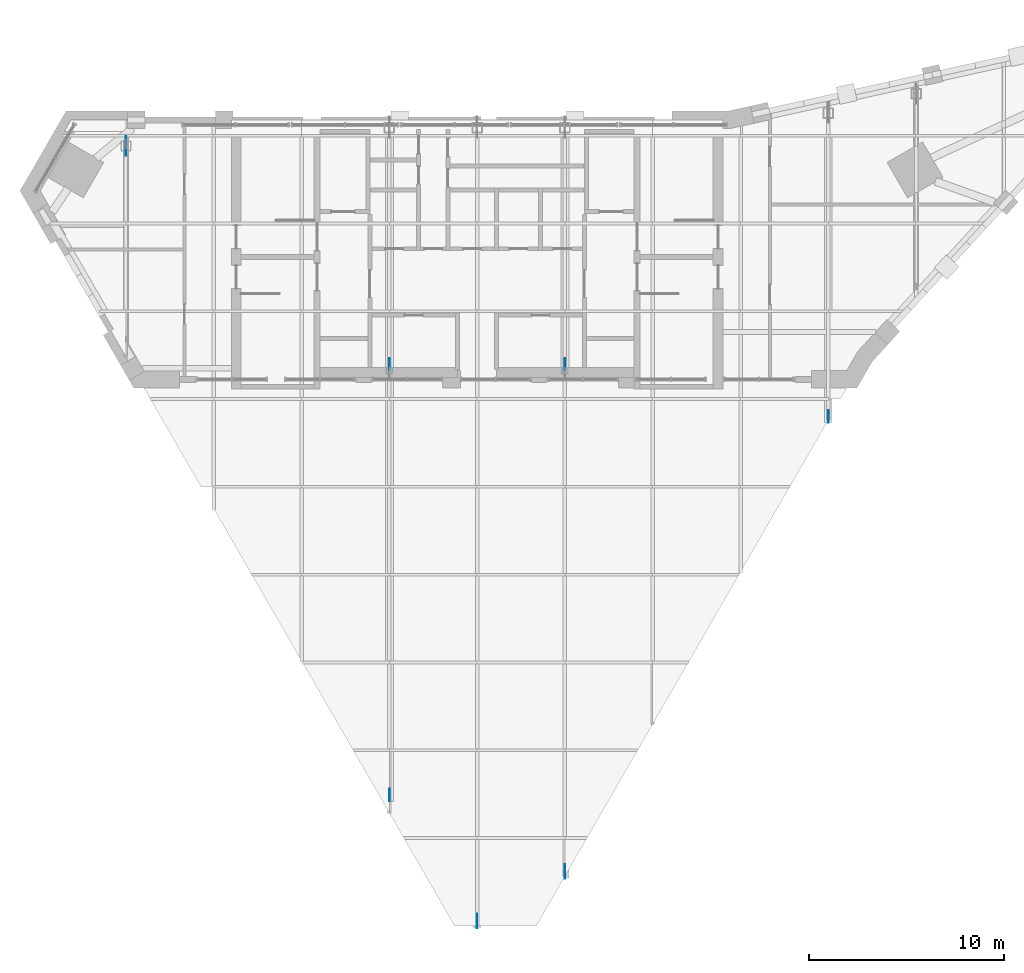
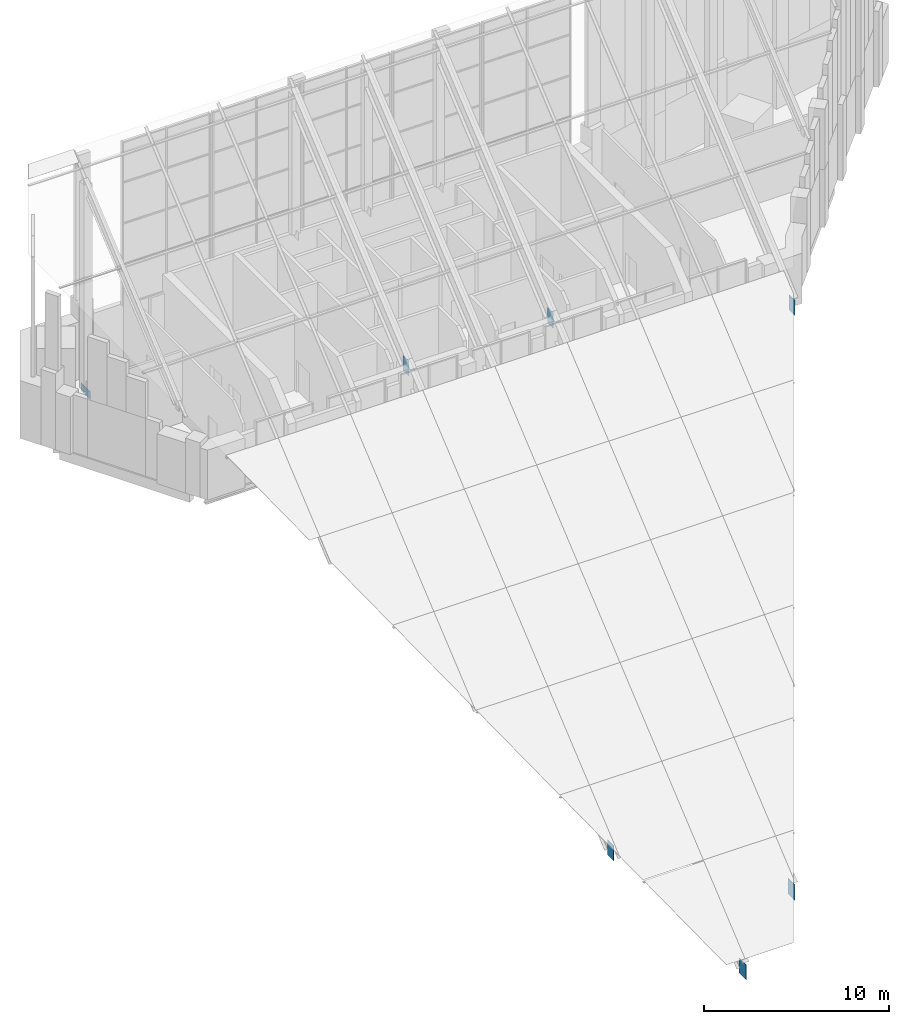
# One storey, part 15 of 19: 7 discrete accessories.
"""IFC4 building model written with IfcOpenShell, lengths in metres."""

from ifc_helpers import new_model, si_unit, direction, frame, origin, origin_2d, place, context, subcontext, project, spatial, rectangle, extrude, material, type_object, element, save


model = new_model("IFC4")

# Units and contexts
model_context = context("Model", 3, precision=1e-05, world=origin(), true_north=direction((0.0, 1.0)))
body_context = subcontext(model_context, "Body", "Model", "MODEL_VIEW")
ifc_project = project(units=[si_unit("LENGTHUNIT", "METRE"), si_unit("AREAUNIT", "SQUARE_METRE"), si_unit("VOLUMEUNIT", "CUBIC_METRE"), si_unit("PLANEANGLEUNIT", "RADIAN"), si_unit("MASSUNIT", "GRAM", prefix="KILO")], contexts=[model_context])

# Site, building, storey
site_placement = place(None, origin())
site = spatial("IfcSite", under=ifc_project, at=site_placement, CompositionType="ELEMENT")
building_placement = place(site_placement, origin())
building = spatial("IfcBuilding", under=site, at=building_placement, Name="Calabash Gate Tower", CompositionType="ELEMENT")
storey_placement = place(building_placement, frame((0.0, 0.0, 335.5)))
storey = spatial("IfcBuildingStorey", under=building, at=storey_placement, Name="L78", CompositionType="ELEMENT", Elevation=335.5)

# Discrete accessories
ifc_material = material(Name="Steel ASTM A572 Gr50", Category="steel")
discrete_accessory_type = type_object("IfcDiscreteAccessoryType", Name="Connection plate 25", PredefinedType="BRACKET", material=ifc_material)
discrete_accessory_1_placement = place(storey_placement, frame((-18.0, 17.717041015625, -0.4541015625), z_axis=(0.0, 0.0, 1.0), x_axis=(0.0, 1.0, 0.0)))
element("IfcDiscreteAccessory", 1, at=discrete_accessory_1_placement, inside=storey, type_object=discrete_accessory_type, Name="Connection plate Roof post 2 start", PredefinedType="BRACKET", context=body_context, shape_type="SweptSolid", body=[
    extrude(rectangle(XDim=1.0126953125, YDim=0.02490234375, at=origin_2d()), origin(), (0.0, 0.0, 1.0), 0.508056640625),
])
discrete_accessory_2_placement = place(storey_placement, frame((-4.5, -15.547119140625, -15.498046875), z_axis=(0.0, 0.0, 1.0), x_axis=(0.0, 1.0, 0.0)))
element("IfcDiscreteAccessory", 2, at=discrete_accessory_2_placement, inside=storey, type_object=discrete_accessory_type, Name="Connection plate Roof rafter 2 start", PredefinedType="BRACKET", context=body_context, shape_type="SweptSolid", body=[
    extrude(rectangle(XDim=0.6513671875, YDim=0.02490234375, at=origin_2d()), origin(), (0.0, 0.0, 1.0), 1.000732421875),
])
discrete_accessory_3_placement = place(storey_placement, frame((-4.5, 6.52587890625, 3.04443359375), z_axis=(0.0, 0.0, 1.0), x_axis=(0.0, 1.0, 0.0)))
element("IfcDiscreteAccessory", 3, at=discrete_accessory_3_placement, inside=storey, type_object=discrete_accessory_type, Name="Connection plate Roof rafter 2 end", PredefinedType="BRACKET", context=body_context, shape_type="SweptSolid", body=[
    extrude(rectangle(XDim=0.601318359375, YDim=0.02490234375, at=origin_2d()), origin(), (0.0, 0.0, 1.0), 1.000732421875),
])
for number, where, z_axis, x_axis, name in (
    (4, (0.0, -22.012939453125, -20.96533203125), (0.0, 0.0, 1.0), (0.0, 1.0, 0.0), "Connection plate Roof rafter 4 start"),
    (5, (4.5, -19.47607421875, -18.8369140625), (0.0, 0.0, 1.0), (0.0, 1.0, 0.0), "Connection plate Roof rafter 5 start"),
):
    element("IfcDiscreteAccessory", number, at=place(storey_placement, frame(where, z_axis=z_axis, x_axis=x_axis)), inside=storey, type_object=discrete_accessory_type, Name=name, PredefinedType="BRACKET", context=body_context, shape_type="SweptSolid", body=[
        extrude(rectangle(XDim=0.751220703125, YDim=0.02490234375, at=origin_2d()), origin(), (0.0, 0.0, 1.0), 1.000732421875),
    ])
discrete_accessory_4_placement = place(storey_placement, frame((4.5, 6.52587890625, 3.04443359375), z_axis=(0.0, 0.0, 1.0), x_axis=(0.0, 1.0, 0.0)))
element("IfcDiscreteAccessory", 6, at=discrete_accessory_4_placement, inside=storey, type_object=discrete_accessory_type, Name="Connection plate Roof rafter 5 end", PredefinedType="BRACKET", context=body_context, shape_type="SweptSolid", body=[
    extrude(rectangle(XDim=0.601318359375, YDim=0.02490234375, at=origin_2d()), origin(), (0.0, 0.0, 1.0), 1.000732421875),
])
discrete_accessory_5_placement = place(storey_placement, frame((18.0, 3.85693359375, 0.7841796875), z_axis=(0.0, 0.0, 1.0), x_axis=(0.0, 1.0, 0.0)))
element("IfcDiscreteAccessory", 7, at=discrete_accessory_5_placement, inside=storey, type_object=discrete_accessory_type, Name="Connection plate Roof rafter 7 start", PredefinedType="BRACKET", context=body_context, shape_type="SweptSolid", body=[
    extrude(rectangle(XDim=0.6513671875, YDim=0.02490234375, at=origin_2d()), origin(), (0.0, 0.0, 1.0), 1.000732421875),
])

save(model, "model.ifc")
